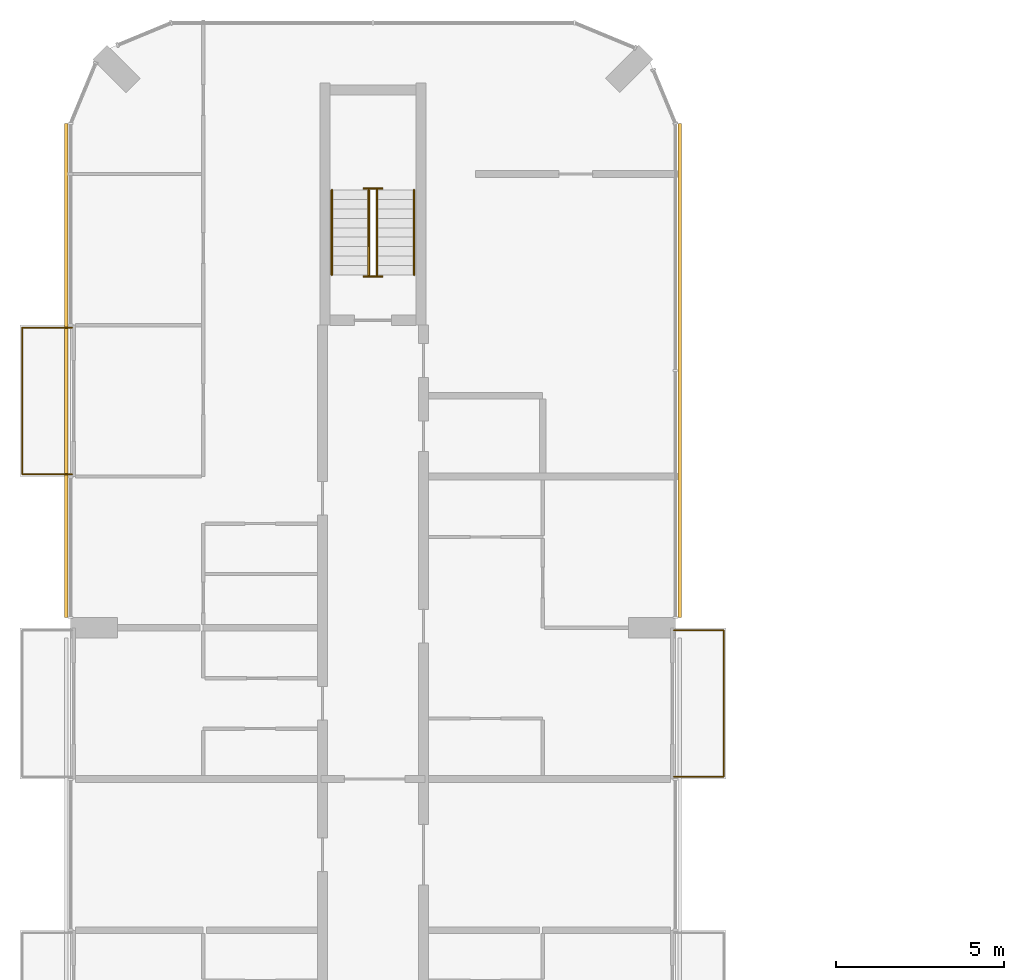
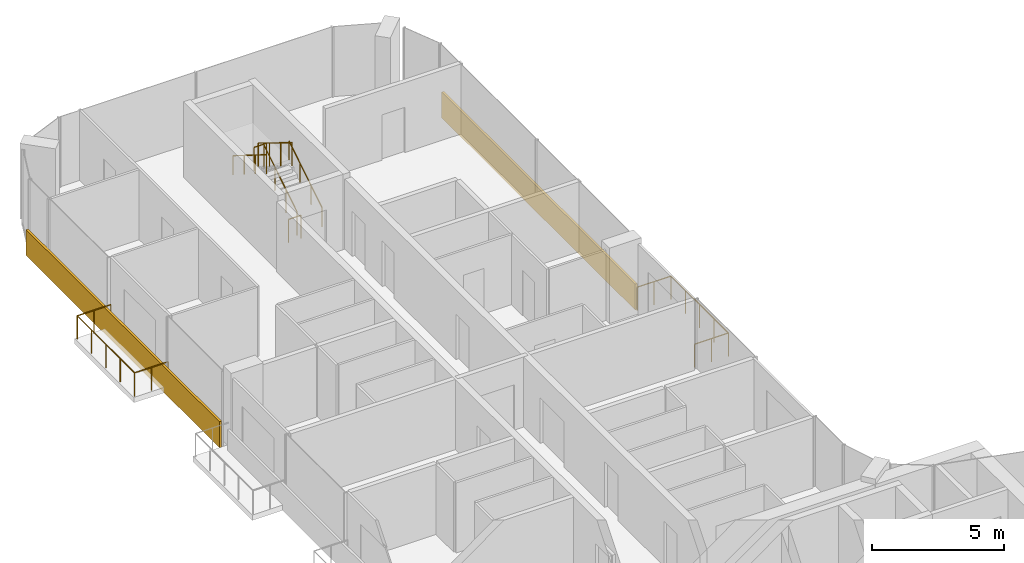
# One storey, part 16 of 16: 8 railings, 2 coverings.
"""IFC4 building model written with IfcOpenShell, lengths in metres."""

from ifc_helpers import new_model, si_unit, direction, frame, origin, origin_2d, place, context, subcontext, project, spatial, rectangle, circle, extrude, material, layer, layer_set, type_object, element, save


model = new_model("IFC4")

# Units and contexts
model_context = context("Model", 3, precision=1e-05, world=origin(), true_north=direction((0.0, 1.0)))
body_context = subcontext(model_context, "Body", "Model", "MODEL_VIEW")
ifc_project = project(units=[si_unit("LENGTHUNIT", "METRE"), si_unit("AREAUNIT", "SQUARE_METRE"), si_unit("VOLUMEUNIT", "CUBIC_METRE"), si_unit("PLANEANGLEUNIT", "RADIAN"), si_unit("MASSUNIT", "GRAM", prefix="KILO")], contexts=[model_context])

# Site, building, storey
site_placement = place(None, origin())
site = spatial("IfcSite", under=ifc_project, at=site_placement, CompositionType="ELEMENT")
building_placement = place(site_placement, origin())
building = spatial("IfcBuilding", under=site, at=building_placement, Name="Plateau Cross Towers", CompositionType="ELEMENT")
storey_placement = place(building_placement, frame((0.0, 0.0, 163.89990234375)))
storey = spatial("IfcBuildingStorey", under=building, at=storey_placement, Name="L42", CompositionType="ELEMENT", Elevation=163.89990234375)

# Railings
ifc_material_1 = material(Name="Stainless steel and toughened glass", Category="steel")
railing_type_1 = type_object("IfcRailingType", Name="Glass balustrade guard 1100", PredefinedType="GUARDRAIL", material=ifc_material_1)
railing_1_placement = place(storey_placement, frame((0.050048828125, 40.570068359375, 0.0)))
element("IfcRailing", 1, at=railing_1_placement, inside=storey, type_object=railing_type_1, Name="Guard guard1", PredefinedType="GUARDRAIL", context=body_context, shape_type="SweptSolid", body=[
    extrude(circle(Radius=0.02392578125, at=origin_2d()), frame((0.0, 0.0, 1.076171875), z_axis=(-1.0, 0.0, 0.0), x_axis=(0.0, -1.0, 0.0)), (0.0, 0.0, 1.0), 1.47998046875),
    extrude(circle(Radius=0.02392578125, at=origin_2d()), frame((-1.47998046875, 0.0, 1.076171875), z_axis=(0.0, 1.0, 0.0), x_axis=(-1.0, 0.0, 0.0)), (0.0, 0.0, 1.0), 4.35986328125),
    extrude(circle(Radius=0.02392578125, at=origin_2d()), frame((-1.47998046875, 4.35986328125, 1.076171875), z_axis=(1.0, 0.0, 0.0), x_axis=(0.0, 1.0, 0.0)), (0.0, 0.0, 1.0), 1.47998046875),
    extrude(circle(Radius=0.02099609375, at=origin_2d()), origin(), (0.0, 0.0, 1.0), 1.052001953125),
    extrude(circle(Radius=0.02099609375, at=origin_2d()), frame((-0.739990234375, 0.0, 0.0)), (0.0, 0.0, 1.0), 1.052001953125),
    extrude(circle(Radius=0.02099609375, at=origin_2d()), frame((-1.47998046875, 0.0, 0.0)), (0.0, 0.0, 1.0), 1.052001953125),
    extrude(circle(Radius=0.02099609375, at=origin_2d()), frame((-1.47998046875, 1.08984375, 0.0)), (0.0, 0.0, 1.0), 1.052001953125),
    extrude(circle(Radius=0.02099609375, at=origin_2d()), frame((-1.47998046875, 2.179931640625, 0.0)), (0.0, 0.0, 1.0), 1.052001953125),
    extrude(circle(Radius=0.02099609375, at=origin_2d()), frame((-1.47998046875, 3.27001953125, 0.0)), (0.0, 0.0, 1.0), 1.052001953125),
    extrude(circle(Radius=0.02099609375, at=origin_2d()), frame((-1.47998046875, 4.35986328125, 0.0)), (0.0, 0.0, 1.0), 1.052001953125),
    extrude(circle(Radius=0.02099609375, at=origin_2d()), frame((-0.739990234375, 4.35986328125, 0.0)), (0.0, 0.0, 1.0), 1.052001953125),
    extrude(circle(Radius=0.02099609375, at=origin_2d()), frame((0.0, 4.35986328125, 0.0)), (0.0, 0.0, 1.0), 1.052001953125),
])
railing_2_placement = place(storey_placement, frame((17.949951171875, 35.929931640625, 0.0)))
element("IfcRailing", 2, at=railing_2_placement, inside=storey, type_object=railing_type_1, Name="Guard guard1", PredefinedType="GUARDRAIL", context=body_context, shape_type="SweptSolid", body=[
    extrude(circle(Radius=0.02392578125, at=origin_2d()), frame((0.0, 0.0, 1.076171875), z_axis=(1.0, 0.0, 0.0), x_axis=(0.0, 1.0, 0.0)), (0.0, 0.0, 1.0), 1.47998046875),
    extrude(circle(Radius=0.02392578125, at=origin_2d()), frame((1.47998046875, 0.0, 1.076171875), z_axis=(0.0, -1.0, 0.0), x_axis=(1.0, 0.0, 0.0)), (0.0, 0.0, 1.0), 4.35986328125),
    extrude(circle(Radius=0.02392578125, at=origin_2d()), frame((1.47998046875, -4.35986328125, 1.076171875), z_axis=(-1.0, 0.0, 0.0), x_axis=(0.0, -1.0, 0.0)), (0.0, 0.0, 1.0), 1.47998046875),
    extrude(circle(Radius=0.02099609375, at=origin_2d()), origin(), (0.0, 0.0, 1.0), 1.052001953125),
    extrude(circle(Radius=0.02099609375, at=origin_2d()), frame((0.739990234375, 0.0, 0.0)), (0.0, 0.0, 1.0), 1.052001953125),
    extrude(circle(Radius=0.02099609375, at=origin_2d()), frame((1.47998046875, 0.0, 0.0)), (0.0, 0.0, 1.0), 1.052001953125),
    extrude(circle(Radius=0.02099609375, at=origin_2d()), frame((1.47998046875, -1.08984375, 0.0)), (0.0, 0.0, 1.0), 1.052001953125),
    extrude(circle(Radius=0.02099609375, at=origin_2d()), frame((1.47998046875, -2.179931640625, 0.0)), (0.0, 0.0, 1.0), 1.052001953125),
    extrude(circle(Radius=0.02099609375, at=origin_2d()), frame((1.47998046875, -3.27001953125, 0.0)), (0.0, 0.0, 1.0), 1.052001953125),
    extrude(circle(Radius=0.02099609375, at=origin_2d()), frame((1.47998046875, -4.35986328125, 0.0)), (0.0, 0.0, 1.0), 1.052001953125),
    extrude(circle(Radius=0.02099609375, at=origin_2d()), frame((0.739990234375, -4.35986328125, 0.0)), (0.0, 0.0, 1.0), 1.052001953125),
    extrude(circle(Radius=0.02099609375, at=origin_2d()), frame((0.0, -4.35986328125, 0.0)), (0.0, 0.0, 1.0), 1.052001953125),
])
railing_type_2 = type_object("IfcRailingType", Name="RL-GUARD-1100", PredefinedType="GUARDRAIL", material=ifc_material_1)
railing_3_placement = place(storey_placement, frame((9.125, 46.5, 0.175048828125)))
element("IfcRailing", 3, at=railing_3_placement, inside=storey, type_object=railing_type_2, Name="L42 ES-N stair guard 1", PredefinedType="GUARDRAIL", context=body_context, shape_type="SweptSolid", body=[
    extrude(circle(Radius=0.02392578125, at=origin_2d()), frame((0.0, 0.0, 1.076171875), z_axis=(0.0, 0.848007534815, 0.529984170421), x_axis=(-1.0, 0.0, 0.0)), (0.0, 0.0, 1.0), 2.9716796875),
    extrude(circle(Radius=0.02099609375, at=origin_2d()), origin(), (0.0, 0.0, 1.0), 1.052001953125),
    extrude(circle(Radius=0.02099609375, at=origin_2d()), frame((0.0, 0.840087890625, 0.52490234375)), (0.0, 0.0, 1.0), 1.052001953125),
    extrude(circle(Radius=0.02099609375, at=origin_2d()), frame((0.0, 1.679931640625, 1.050048828125)), (0.0, 0.0, 1.0), 1.052001953125),
    extrude(circle(Radius=0.02099609375, at=origin_2d()), frame((0.0, 2.52001953125, 1.574951171875)), (0.0, 0.0, 1.0), 1.052001953125),
])
railing_4_placement = place(storey_placement, frame((9.27490234375, 49.070068359375, 1.75)))
element("IfcRailing", 4, at=railing_4_placement, inside=storey, type_object=railing_type_2, Name="L42 ES-N stair guard 2", PredefinedType="GUARDRAIL", context=body_context, shape_type="SweptSolid", body=[
    extrude(circle(Radius=0.02392578125, at=origin_2d()), frame((0.0, 0.0, 1.076171875), z_axis=(-1.0, 0.0, 0.0), x_axis=(0.0, -1.0, 0.0)), (0.0, 0.0, 1.0), 0.5498046875),
    extrude(circle(Radius=0.02099609375, at=origin_2d()), origin(), (0.0, 0.0, 1.0), 1.052001953125),
    extrude(circle(Radius=0.02099609375, at=origin_2d()), frame((-0.5498046875, 0.0, 0.0)), (0.0, 0.0, 1.0), 1.052001953125),
])
railing_5_placement = place(storey_placement, frame((8.875, 49.02001953125, 1.925048828125)))
element("IfcRailing", 5, at=railing_5_placement, inside=storey, type_object=railing_type_2, Name="L42 ES-N stair guard 3", PredefinedType="GUARDRAIL", context=body_context, shape_type="SweptSolid", body=[
    extrude(circle(Radius=0.02392578125, at=origin_2d()), frame((0.0, 0.0, 1.076171875), z_axis=(0.0, -0.852638500773, 0.522501279423), x_axis=(1.0, 0.0, 0.0)), (0.0, 0.0, 1.0), 3.01416015625),
    extrude(circle(Radius=0.02099609375, at=origin_2d()), origin(), (0.0, 0.0, 1.0), 1.052001953125),
    extrude(circle(Radius=0.02099609375, at=origin_2d()), frame((0.0, -0.856689453125, 0.52490234375)), (0.0, 0.0, 1.0), 1.052001953125),
    extrude(circle(Radius=0.02099609375, at=origin_2d()), frame((0.0, -1.71337890625, 1.050048828125)), (0.0, 0.0, 1.0), 1.052001953125),
    extrude(circle(Radius=0.02099609375, at=origin_2d()), frame((0.0, -2.570068359375, 1.574951171875)), (0.0, 0.0, 1.0), 1.052001953125),
])
railing_6_placement = place(storey_placement, frame((9.27490234375, 46.449951171875, 0.0)))
element("IfcRailing", 6, at=railing_6_placement, inside=storey, type_object=railing_type_2, Name="L42 ES-N stair guard 4", PredefinedType="GUARDRAIL", context=body_context, shape_type="SweptSolid", body=[
    extrude(circle(Radius=0.02392578125, at=origin_2d()), frame((0.0, 0.0, 1.076171875), z_axis=(-1.0, 0.0, 0.0), x_axis=(0.0, -1.0, 0.0)), (0.0, 0.0, 1.0), 0.5498046875),
    extrude(circle(Radius=0.02099609375, at=origin_2d()), origin(), (0.0, 0.0, 1.0), 1.052001953125),
    extrude(circle(Radius=0.02099609375, at=origin_2d()), frame((-0.5498046875, 0.0, 0.0)), (0.0, 0.0, 1.0), 1.052001953125),
])
ifc_material_2 = material(Name="Black anodised aluminium", Category="aluminium")
railing_type_3 = type_object("IfcRailingType", Name="RL-HANDRAIL-900", PredefinedType="HANDRAIL", material=ifc_material_2)
railing_7_placement = place(storey_placement, frame((10.22509765625, 46.5, 0.175048828125)))
element("IfcRailing", 7, at=railing_7_placement, inside=storey, type_object=railing_type_3, Name="L42 ES-N stair handrail 1", PredefinedType="HANDRAIL", context=body_context, shape_type="SweptSolid", body=[
    extrude(circle(Radius=0.02392578125, at=origin_2d()), frame((0.0, 0.0, 0.8759765625), z_axis=(0.0, 0.848007534815, 0.529984170421), x_axis=(-1.0, 0.0, 0.0)), (0.0, 0.0, 1.0), 2.9716796875),
    extrude(circle(Radius=0.02099609375, at=origin_2d()), origin(), (0.0, 0.0, 1.0), 0.851806640625),
    extrude(circle(Radius=0.02099609375, at=origin_2d()), frame((0.0, 0.840087890625, 0.52490234375)), (0.0, 0.0, 1.0), 0.851806640625),
    extrude(circle(Radius=0.02099609375, at=origin_2d()), frame((0.0, 1.679931640625, 1.050048828125)), (0.0, 0.0, 1.0), 0.851806640625),
    extrude(circle(Radius=0.02099609375, at=origin_2d()), frame((0.0, 2.52001953125, 1.574951171875)), (0.0, 0.0, 1.0), 0.851806640625),
])
railing_8_placement = place(storey_placement, frame((7.77490234375, 49.02001953125, 1.925048828125)))
element("IfcRailing", 8, at=railing_8_placement, inside=storey, type_object=railing_type_3, Name="L42 ES-N stair handrail 2", PredefinedType="HANDRAIL", context=body_context, shape_type="SweptSolid", body=[
    extrude(circle(Radius=0.02392578125, at=origin_2d()), frame((0.0, 0.0, 0.8759765625), z_axis=(0.0, -0.848007534815, 0.529984170421), x_axis=(1.0, 0.0, 0.0)), (0.0, 0.0, 1.0), 2.9716796875),
    extrude(circle(Radius=0.02099609375, at=origin_2d()), origin(), (0.0, 0.0, 1.0), 0.851806640625),
    extrude(circle(Radius=0.02099609375, at=origin_2d()), frame((0.0, -0.840087890625, 0.52490234375)), (0.0, 0.0, 1.0), 0.851806640625),
    extrude(circle(Radius=0.02099609375, at=origin_2d()), frame((0.0, -1.679931640625, 1.050048828125)), (0.0, 0.0, 1.0), 0.851806640625),
    extrude(circle(Radius=0.02099609375, at=origin_2d()), frame((0.0, -2.52001953125, 1.574951171875)), (0.0, 0.0, 1.0), 0.851806640625),
])

# Coverings
ifc_material_3 = material(Name="Precast concrete cladding C40/50", Category="concrete")
ifc_layer = layer(ifc_material_3, 0.10009765625)
ifc_layer_set = layer_set([ifc_layer], Name="Precast concrete cladding C40/50")
covering_type = type_object("IfcCoveringType", Name="Spandrel band cladding 100x1200", PredefinedType="CLADDING", material=ifc_layer_set)
for number, where, z_axis, x_axis, name in (
    (9, (18.1201171875, 43.64990234375, -0.25), (0.0, 0.0, 1.0), (0.0, 1.0, 0.0), "Spandrel band"),
    (10, (-0.1201171875, 43.64990234375, -0.25), (0.0, 0.0, 1.0), (0.0, -1.0, 0.0), "Spandrel band"),
):
    element("IfcCovering", number, at=place(storey_placement, frame(where, z_axis=z_axis, x_axis=x_axis)), inside=storey, type_object=covering_type, Name=name, PredefinedType="CLADDING", context=body_context, shape_type="SweptSolid", body=[
        extrude(rectangle(XDim=14.699951171875, YDim=0.10009765625, at=origin_2d()), origin(), (0.0, 0.0, 1.0), 1.199951171875),
    ])

save(model, "model.ifc")
